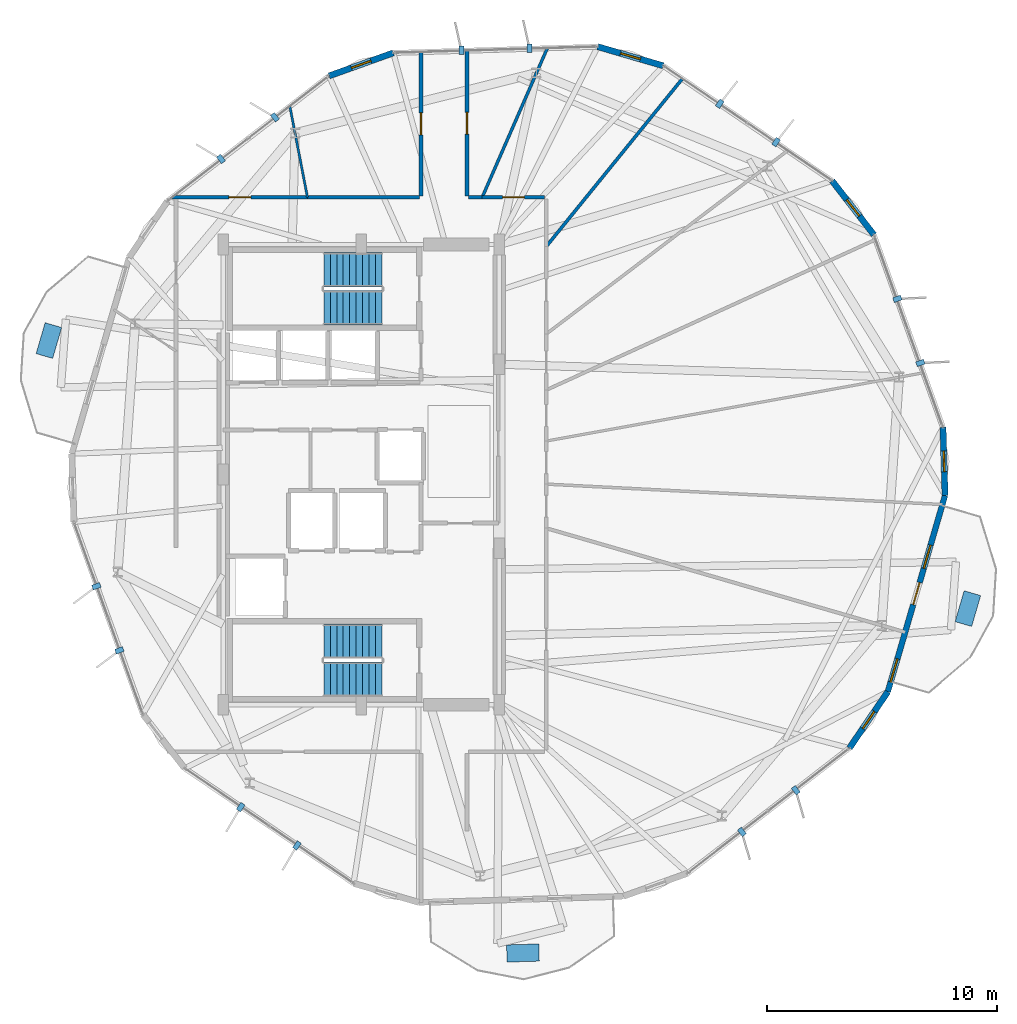
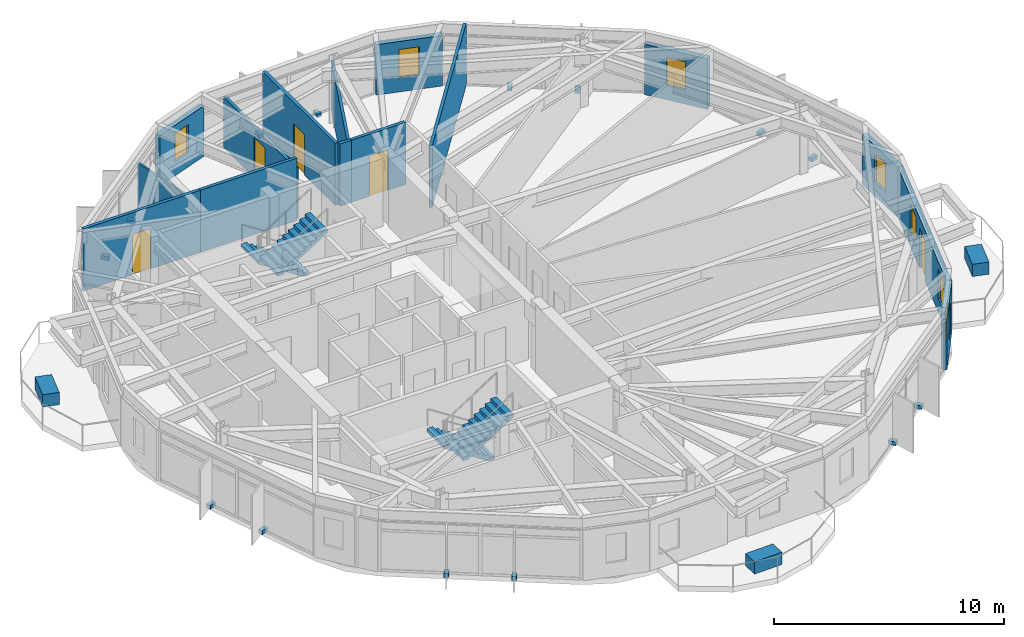
# One storey, part 20 of 23: 17 discrete accessories, 15 walls, 7 windows, 5 doors, 4 stair flights, 12 openings, 2 elements without a shape of their own.
"""IFC4 building model written with IfcOpenShell, lengths in metres."""

from ifc_helpers import new_model, si_unit, direction, frame, frame_2d, origin, origin_2d, place, context, subcontext, project, spatial, polyline, rectangle, outline, extrude, material, layer, layer_set, type_object, element, fill, aggregate, save


model = new_model("IFC4")

# Units and contexts
model_context = context("Model", 3, precision=1e-05, world=origin(), true_north=direction((0.0, 1.0)))
body_context = subcontext(model_context, "Body", "Model", "MODEL_VIEW")
ifc_project = project(units=[si_unit("LENGTHUNIT", "METRE"), si_unit("AREAUNIT", "SQUARE_METRE"), si_unit("VOLUMEUNIT", "CUBIC_METRE"), si_unit("PLANEANGLEUNIT", "RADIAN"), si_unit("MASSUNIT", "GRAM", prefix="KILO")], contexts=[model_context])

# Site, building, storey
site_placement = place(None, origin())
site = spatial("IfcSite", under=ifc_project, at=site_placement, CompositionType="ELEMENT")
building_placement = place(site_placement, origin())
building = spatial("IfcBuilding", under=site, at=building_placement, Name="Soratama Intermodal Tower", CompositionType="ELEMENT")
storey_placement = place(building_placement, frame((0.0, 0.0, 171.39990234375)))
storey = spatial("IfcBuildingStorey", under=building, at=storey_placement, Name="L42", CompositionType="ELEMENT", Elevation=171.39990234375)

# Wall, openings, door, windows
ifc_material_1 = material(Name="Concrete f'c 42 MPa", Category="concrete")
ifc_layer_1 = layer(ifc_material_1, 0.25)
ifc_layer_set_1 = layer_set([ifc_layer_1], Name="Concrete f'c 42 MPa")
wall_type_1 = type_object("IfcWallType", Name="EW-BAL-250", PredefinedType="SOLIDWALL", material=ifc_layer_set_1)
wall_1_placement = place(storey_placement, frame((61.4921875, 15.561279296875, 0.0), z_axis=(0.0, 0.0, 1.0), x_axis=(0.28, 0.96, 0.0)))
wall_1 = element("IfcWall", 1, at=wall_1_placement, inside=storey, type_object=wall_type_1, Name="L42 Terrace Wall F09", PredefinedType="SOLIDWALL", context=body_context, shape_type="SweptSolid", body=[
    extrude(rectangle(XDim=8.88671875, YDim=0.25, at=frame_2d((4.443359375, 0.0))), origin(), (0.0, 0.0, 1.0), 2.67919921875),
])
opening_1_placement = place(wall_1_placement, frame((3.943359375, 0.0, 0.0)))
opening_1 = element("IfcOpeningElement", 2, at=opening_1_placement, cuts=wall_1, Name="Opening ED-2", PredefinedType="OPENING", context=body_context, shape_type="SweptSolid", body=[
    extrude(rectangle(XDim=1.0, YDim=2.14990234375, at=frame_2d((0.5, 1.074951171875))), frame((0.0, 0.135009765625, 0.0), z_axis=(0.0, -1.0, 0.0), x_axis=(1.0, 0.0, 0.0)), (0.0, 0.0, 1.0), 0.27001953125),
])
opening_2_placement = place(wall_1_placement, frame((0.43994140625, 0.0, 0.719970703125)))
opening_2 = element("IfcOpeningElement", 3, at=opening_2_placement, cuts=wall_1, Name="Opening WN-5", PredefinedType="OPENING", context=body_context, shape_type="SweptSolid", body=[
    extrude(rectangle(XDim=1.050048828125, YDim=1.550048828125, at=frame_2d((0.52490234375, 0.77490234375))), frame((0.0, 0.135009765625, 0.0), z_axis=(0.0, -1.0, 0.0), x_axis=(1.0, 0.0, 0.0)), (0.0, 0.0, 1.0), 0.27001953125),
])
opening_3_placement = place(wall_1_placement, frame((5.583251953125, 0.0, 0.719970703125)))
opening_3 = element("IfcOpeningElement", 4, at=opening_3_placement, cuts=wall_1, Name="Opening WN-5", PredefinedType="OPENING", context=body_context, shape_type="SweptSolid", body=[
    extrude(rectangle(XDim=1.050048828125, YDim=1.550048828125, at=frame_2d((0.52490234375, 0.77490234375))), frame((0.0, 0.135009765625, 0.0), z_axis=(0.0, -1.0, 0.0), x_axis=(1.0, 0.0, 0.0)), (0.0, 0.0, 1.0), 0.27001953125),
])
ifc_material_2 = material(Name="Double-glazed aluminium door", Category="aluminium")
door_type_1 = type_object("IfcDoorType", Name="DR-BAL-1000", OperationType="NOTDEFINED", PredefinedType="DOOR", material=ifc_material_2)
door_1_placement = place(opening_1_placement, origin())
door_1 = element("IfcDoor", 5, at=door_1_placement, inside=storey, type_object=door_type_1, Name="L42 Balcony Door F09", OperationType="SINGLE_SWING_LEFT", OverallHeight=2.14990234375, OverallWidth=1.0, PredefinedType="DOOR", context=body_context, shape_type="SweptSolid", body=[
    extrude(rectangle(XDim=1.0, YDim=2.14990234375, at=frame_2d((0.5, 1.074951171875))), frame((0.0, 0.02490234375, 0.0), z_axis=(0.0, -1.0, 0.0), x_axis=(1.0, 0.0, 0.0)), (0.0, 0.0, 1.0), 0.050048828125),
])
fill(opening_1, door_1)
ifc_material_3 = material(Name="Double-glazed aluminium window", Category="aluminium")
window_type_1 = type_object("IfcWindowType", Name="WN-FAC-1050", PartitioningType="SINGLE_PANEL", PredefinedType="WINDOW", material=ifc_material_3)
window_1_placement = place(opening_2_placement, origin())
window_1 = element("IfcWindow", 6, at=window_1_placement, inside=storey, type_object=window_type_1, Name="L42 Window A F09", OverallHeight=1.550048828125, OverallWidth=1.050048828125, PartitioningType="SINGLE_PANEL", PredefinedType="WINDOW", context=body_context, shape_type="SweptSolid", body=[
    extrude(rectangle(XDim=1.050048828125, YDim=1.550048828125, at=frame_2d((0.52490234375, 0.77490234375))), frame((0.0, 0.030029296875, 0.0), z_axis=(0.0, -1.0, 0.0), x_axis=(1.0, 0.0, 0.0)), (0.0, 0.0, 1.0), 0.06005859375),
])
fill(opening_2, window_1)
window_2_placement = place(opening_3_placement, origin())
window_2 = element("IfcWindow", 7, at=window_2_placement, inside=storey, type_object=window_type_1, Name="L42 Window B F09", OverallHeight=1.550048828125, OverallWidth=1.050048828125, PartitioningType="SINGLE_PANEL", PredefinedType="WINDOW", context=body_context, shape_type="SweptSolid", body=[
    extrude(rectangle(XDim=1.050048828125, YDim=1.550048828125, at=frame_2d((0.52490234375, 0.77490234375))), frame((0.0, 0.030029296875, 0.0), z_axis=(0.0, -1.0, 0.0), x_axis=(1.0, 0.0, 0.0)), (0.0, 0.0, 1.0), 0.06005859375),
])
fill(opening_3, window_2)

# Wall, opening, window
ifc_material_4 = material(Name="Concrete f'c 42 MPa", Category="concrete")
ifc_layer_2 = layer(ifc_material_4, 0.27001953125)
ifc_layer_set_2 = layer_set([ifc_layer_2], Name="Concrete f'c 42 MPa")
wall_type_2 = type_object("IfcWallType", Name="EW-CRN-270", PredefinedType="SOLIDWALL", material=ifc_layer_set_2)
wall_2_placement = place(storey_placement, frame((51.728271484375, 42.77099609375, 0.0), z_axis=(0.0, 0.0, 1.0), x_axis=(-0.96000645191, 0.279977878217, 0.0)))
wall_2 = element("IfcWall", 8, at=wall_2_placement, inside=storey, type_object=wall_type_2, Name="L42 Corner Closure Wall 01", PredefinedType="SOLIDWALL", context=body_context, shape_type="SweptSolid", body=[
    extrude(rectangle(XDim=2.966552734375, YDim=0.27001953125, at=frame_2d((1.4833984375, 0.0))), origin(), (0.0, 0.0, 1.0), 2.67919921875),
])
opening_4_placement = place(wall_2_placement, frame((1.033203125, 0.0, 0.75)))
opening_4 = element("IfcOpeningElement", 9, at=opening_4_placement, cuts=wall_2, Name="Opening WN-6", PredefinedType="OPENING", context=body_context, shape_type="SweptSolid", body=[
    extrude(rectangle(XDim=0.89990234375, YDim=1.5, at=frame_2d((0.449951171875, 0.75))), frame((0.0, 0.14501953125, 0.0), z_axis=(0.0, -1.0, 0.0), x_axis=(1.0, 0.0, 0.0)), (0.0, 0.0, 1.0), 0.2900390625),
])
ifc_material_5 = material(Name="Double-glazed aluminium window", Category="aluminium")
window_type_2 = type_object("IfcWindowType", Name="WN-FAC-900", PartitioningType="SINGLE_PANEL", PredefinedType="WINDOW", material=ifc_material_5)
window_3_placement = place(opening_4_placement, origin())
window_3 = element("IfcWindow", 10, at=window_3_placement, inside=storey, type_object=window_type_2, Name="L42 Corner Window 01", OverallHeight=1.5, OverallWidth=0.89990234375, PartitioningType="SINGLE_PANEL", PredefinedType="WINDOW", context=body_context, shape_type="SweptSolid", body=[
    extrude(rectangle(XDim=0.89990234375, YDim=1.5, at=frame_2d((0.449951171875, 0.75))), frame((0.0, 0.030029296875, 0.0), z_axis=(0.0, -1.0, 0.0), x_axis=(1.0, 0.0, 0.0)), (0.0, 0.0, 1.0), 0.06005859375),
])
fill(opening_4, window_3)

wall_3_placement = place(storey_placement, frame((39.997802734375, 43.331787109375, 0.0), z_axis=(0.0, 0.0, 1.0), x_axis=(-0.94123626771, -0.337748853955, 0.0)))
wall_3 = element("IfcWall", 11, at=wall_3_placement, inside=storey, type_object=wall_type_2, Name="L42 Corner Closure Wall 02", PredefinedType="SOLIDWALL", context=body_context, shape_type="SweptSolid", body=[
    extrude(rectangle(XDim=2.966552734375, YDim=0.27001953125, at=frame_2d((1.4833984375, 0.0))), origin(), (0.0, 0.0, 1.0), 2.67919921875),
])
opening_5_placement = place(wall_3_placement, frame((1.033203125, 0.0, 0.75)))
opening_5 = element("IfcOpeningElement", 12, at=opening_5_placement, cuts=wall_3, Name="Opening WN-6", PredefinedType="OPENING", context=body_context, shape_type="SweptSolid", body=[
    extrude(rectangle(XDim=0.89990234375, YDim=1.5, at=frame_2d((0.449951171875, 0.75))), frame((0.0, 0.14501953125, 0.0), z_axis=(0.0, -1.0, 0.0), x_axis=(1.0, 0.0, 0.0)), (0.0, 0.0, 1.0), 0.2900390625),
])
window_4_placement = place(opening_5_placement, origin())
window_4 = element("IfcWindow", 13, at=window_4_placement, inside=storey, type_object=window_type_2, Name="L42 Corner Window 02", OverallHeight=1.5, OverallWidth=0.89990234375, PartitioningType="SINGLE_PANEL", PredefinedType="WINDOW", context=body_context, shape_type="SweptSolid", body=[
    extrude(rectangle(XDim=0.89990234375, YDim=1.5, at=frame_2d((0.449951171875, 0.75))), frame((0.0, 0.030029296875, 0.0), z_axis=(0.0, -1.0, 0.0), x_axis=(1.0, 0.0, 0.0)), (0.0, 0.0, 1.0), 0.06005859375),
])
fill(opening_5, window_4)

wall_4_placement = place(storey_placement, frame((59.822021484375, 13.109619140625, 0.0), z_axis=(0.0, 0.0, 1.0), x_axis=(0.563009904687, 0.826450148058, 0.0)))
wall_4 = element("IfcWall", 14, at=wall_4_placement, inside=storey, type_object=wall_type_2, Name="L42 Corner Closure Wall 08", PredefinedType="SOLIDWALL", context=body_context, shape_type="SweptSolid", body=[
    extrude(rectangle(XDim=2.966552734375, YDim=0.27001953125, at=frame_2d((1.4833984375, 0.0))), origin(), (0.0, 0.0, 1.0), 2.67919921875),
])
opening_6_placement = place(wall_4_placement, frame((1.033203125, 0.0, 0.75)))
opening_6 = element("IfcOpeningElement", 15, at=opening_6_placement, cuts=wall_4, Name="Opening WN-6", PredefinedType="OPENING", context=body_context, shape_type="SweptSolid", body=[
    extrude(rectangle(XDim=0.89990234375, YDim=1.5, at=frame_2d((0.449951171875, 0.75))), frame((0.0, 0.14501953125, 0.0), z_axis=(0.0, -1.0, 0.0), x_axis=(1.0, 0.0, 0.0)), (0.0, 0.0, 1.0), 0.2900390625),
])
window_5_placement = place(opening_6_placement, origin())
window_5 = element("IfcWindow", 16, at=window_5_placement, inside=storey, type_object=window_type_2, Name="L42 Corner Window 08", OverallHeight=1.5, OverallWidth=0.89990234375, PartitioningType="SINGLE_PANEL", PredefinedType="WINDOW", context=body_context, shape_type="SweptSolid", body=[
    extrude(rectangle(XDim=0.89990234375, YDim=1.5, at=frame_2d((0.449951171875, 0.75))), frame((0.0, 0.030029296875, 0.0), z_axis=(0.0, -1.0, 0.0), x_axis=(1.0, 0.0, 0.0)), (0.0, 0.0, 1.0), 0.06005859375),
])
fill(opening_6, window_5)

wall_5_placement = place(storey_placement, frame((63.98046875, 24.092529296875, 0.0), z_axis=(0.0, 0.0, 1.0), x_axis=(-0.030366361796, 0.999538835699, 0.0)))
wall_5 = element("IfcWall", 17, at=wall_5_placement, inside=storey, type_object=wall_type_2, Name="L42 Corner Closure Wall 09", PredefinedType="SOLIDWALL", context=body_context, shape_type="SweptSolid", body=[
    extrude(rectangle(XDim=2.966796875, YDim=0.27001953125, at=frame_2d((1.4833984375, 0.0))), origin(), (0.0, 0.0, 1.0), 2.67919921875),
])
opening_7_placement = place(wall_5_placement, frame((1.033203125, 0.0, 0.75)))
opening_7 = element("IfcOpeningElement", 18, at=opening_7_placement, cuts=wall_5, Name="Opening WN-6", PredefinedType="OPENING", context=body_context, shape_type="SweptSolid", body=[
    extrude(rectangle(XDim=0.89990234375, YDim=1.5, at=frame_2d((0.449951171875, 0.75))), frame((0.0, 0.14501953125, 0.0), z_axis=(0.0, -1.0, 0.0), x_axis=(1.0, 0.0, 0.0)), (0.0, 0.0, 1.0), 0.2900390625),
])
window_6_placement = place(opening_7_placement, origin())
window_6 = element("IfcWindow", 19, at=window_6_placement, inside=storey, type_object=window_type_2, Name="L42 Corner Window 09", OverallHeight=1.5, OverallWidth=0.89990234375, PartitioningType="SINGLE_PANEL", PredefinedType="WINDOW", context=body_context, shape_type="SweptSolid", body=[
    extrude(rectangle(XDim=0.89990234375, YDim=1.5, at=frame_2d((0.449951171875, 0.75))), frame((0.0, 0.030029296875, 0.0), z_axis=(0.0, -1.0, 0.0), x_axis=(1.0, 0.0, 0.0)), (0.0, 0.0, 1.0), 0.06005859375),
])
fill(opening_7, window_6)

wall_6_placement = place(storey_placement, frame((60.888916015625, 35.42236328125, 0.0), z_axis=(0.0, 0.0, 1.0), x_axis=(-0.612110117852, 0.790772535956, 0.0)))
wall_6 = element("IfcWall", 20, at=wall_6_placement, inside=storey, type_object=wall_type_2, Name="L42 Corner Closure Wall 10", PredefinedType="SOLIDWALL", context=body_context, shape_type="SweptSolid", body=[
    extrude(rectangle(XDim=2.966552734375, YDim=0.27001953125, at=frame_2d((1.4833984375, 0.0))), origin(), (0.0, 0.0, 1.0), 2.67919921875),
])
opening_8_placement = place(wall_6_placement, frame((1.033203125, 0.0, 0.75)))
opening_8 = element("IfcOpeningElement", 21, at=opening_8_placement, cuts=wall_6, Name="Opening WN-6", PredefinedType="OPENING", context=body_context, shape_type="SweptSolid", body=[
    extrude(rectangle(XDim=0.89990234375, YDim=1.5, at=frame_2d((0.449951171875, 0.75))), frame((0.0, 0.14501953125, 0.0), z_axis=(0.0, -1.0, 0.0), x_axis=(1.0, 0.0, 0.0)), (0.0, 0.0, 1.0), 0.2900390625),
])
window_7_placement = place(opening_8_placement, origin())
window_7 = element("IfcWindow", 22, at=window_7_placement, inside=storey, type_object=window_type_2, Name="L42 Corner Window 10", OverallHeight=1.5, OverallWidth=0.89990234375, PartitioningType="SINGLE_PANEL", PredefinedType="WINDOW", context=body_context, shape_type="SweptSolid", body=[
    extrude(rectangle(XDim=0.89990234375, YDim=1.5, at=frame_2d((0.449951171875, 0.75))), frame((0.0, 0.030029296875, 0.0), z_axis=(0.0, -1.0, 0.0), x_axis=(1.0, 0.0, 0.0)), (0.0, 0.0, 1.0), 0.06005859375),
])
fill(opening_8, window_7)

# Wall, opening, door
ifc_material_6 = material(Name="Fire-rated gypsum stud partition", Category="concrete")
ifc_layer_3 = layer(ifc_material_6, 0.159912109375)
ifc_layer_set_3 = layer_set([ifc_layer_3], Name="Fire-rated gypsum stud partition")
wall_type_3 = type_object("IfcWallType", Name="IW-PART-R160", PredefinedType="PARTITIONING", material=ifc_layer_set_3)
wall_7_placement = place(storey_placement, frame((43.199951171875, 43.428955078125, 0.0), z_axis=(0.0, 0.0, 1.0), x_axis=(0.0, -1.0, 0.0)))
wall_7 = element("IfcWall", 23, at=wall_7_placement, inside=storey, type_object=wall_type_3, Name="L42 Partition W-L42-TP013", PredefinedType="PARTITIONING", context=body_context, shape_type="SweptSolid", body=[
    extrude(rectangle(XDim=6.308837890625, YDim=0.159912109375, at=frame_2d((3.154296875, 0.0))), origin(), (0.0, 0.0, 1.0), 3.300048828125),
])
opening_9_placement = place(wall_7_placement, frame((2.679931640625, 0.0, 0.0)))
opening_9 = element("IfcOpeningElement", 24, at=opening_9_placement, cuts=wall_7, Name="Opening ID-3", PredefinedType="OPENING", context=body_context, shape_type="SweptSolid", body=[
    extrude(rectangle(XDim=0.949951171875, YDim=2.14990234375, at=frame_2d((0.47509765625, 1.074951171875))), frame((0.0, 0.08984375, 0.0), z_axis=(0.0, -1.0, 0.0), x_axis=(1.0, 0.0, 0.0)), (0.0, 0.0, 1.0), 0.179931640625),
])
ifc_material_7 = material(Name="Solid hardwood acoustic door", Category="wood")
door_type_2 = type_object("IfcDoorType", Name="DR-ROOM-950", OperationType="NOTDEFINED", PredefinedType="DOOR", material=ifc_material_7)
door_2_placement = place(opening_9_placement, origin())
door_2 = element("IfcDoor", 25, at=door_2_placement, inside=storey, type_object=door_type_2, Name="L42 Door D-L42-TP005", OperationType="SINGLE_SWING_RIGHT", OverallHeight=2.14990234375, OverallWidth=0.949951171875, PredefinedType="DOOR", context=body_context, shape_type="SweptSolid", body=[
    extrude(rectangle(XDim=0.949951171875, YDim=2.14990234375, at=frame_2d((0.47509765625, 1.074951171875))), frame((0.0, 0.02490234375, 0.0), z_axis=(0.0, -1.0, 0.0), x_axis=(1.0, 0.0, 0.0)), (0.0, 0.0, 1.0), 0.050048828125),
])
fill(opening_9, door_2)

wall_8_placement = place(storey_placement, frame((41.199951171875, 37.1201171875, 0.0), z_axis=(0.0, 0.0, 1.0), x_axis=(0.0, 1.0, 0.0)))
wall_8 = element("IfcWall", 26, at=wall_8_placement, inside=storey, type_object=wall_type_3, Name="L42 Partition W-L42-TP014", PredefinedType="PARTITIONING", context=body_context, shape_type="SweptSolid", body=[
    extrude(rectangle(XDim=6.247802734375, YDim=0.159912109375, at=frame_2d((3.1240234375, 0.0))), origin(), (0.0, 0.0, 1.0), 2.677978515625),
])
opening_10_placement = place(wall_8_placement, frame((2.64892578125, 0.0, 0.0)))
opening_10 = element("IfcOpeningElement", 27, at=opening_10_placement, cuts=wall_8, Name="Opening ID-3", PredefinedType="OPENING", context=body_context, shape_type="SweptSolid", body=[
    extrude(rectangle(XDim=0.949951171875, YDim=2.14990234375, at=frame_2d((0.47509765625, 1.074951171875))), frame((0.0, 0.08984375, 0.0), z_axis=(0.0, -1.0, 0.0), x_axis=(1.0, 0.0, 0.0)), (0.0, 0.0, 1.0), 0.179931640625),
])
door_3_placement = place(opening_10_placement, origin())
door_3 = element("IfcDoor", 28, at=door_3_placement, inside=storey, type_object=door_type_2, Name="L42 Door D-L42-TP006", OperationType="SINGLE_SWING_LEFT", OverallHeight=2.14990234375, OverallWidth=0.949951171875, PredefinedType="DOOR", context=body_context, shape_type="SweptSolid", body=[
    extrude(rectangle(XDim=0.949951171875, YDim=2.14990234375, at=frame_2d((0.47509765625, 1.074951171875))), frame((0.0, 0.02490234375, 0.0), z_axis=(0.0, -1.0, 0.0), x_axis=(1.0, 0.0, 0.0)), (0.0, 0.0, 1.0), 0.050048828125),
])
fill(opening_10, door_3)

wall_9_placement = place(storey_placement, frame((30.384033203125, 37.050048828125, 0.0), z_axis=(0.0, 0.0, 1.0), x_axis=(1.0, 0.0, 0.0)))
wall_9 = element("IfcWall", 29, at=wall_9_placement, inside=storey, type_object=wall_type_3, Name="L42 Partition W-L42-TP015", PredefinedType="PARTITIONING", context=body_context, shape_type="SweptSolid", body=[
    extrude(rectangle(XDim=5.883056640625, YDim=0.159912109375, at=frame_2d((2.94140625, 0.0))), origin(), (0.0, 0.0, 1.0), 3.300048828125),
])
opening_11_placement = place(wall_9_placement, frame((2.467041015625, 0.0, 0.0)))
opening_11 = element("IfcOpeningElement", 30, at=opening_11_placement, cuts=wall_9, Name="Opening ID-3", PredefinedType="OPENING", context=body_context, shape_type="SweptSolid", body=[
    extrude(rectangle(XDim=0.949951171875, YDim=2.14990234375, at=frame_2d((0.47509765625, 1.074951171875))), frame((0.0, 0.08984375, 0.0), z_axis=(0.0, -1.0, 0.0), x_axis=(1.0, 0.0, 0.0)), (0.0, 0.0, 1.0), 0.179931640625),
])
door_4_placement = place(opening_11_placement, origin())
door_4 = element("IfcDoor", 31, at=door_4_placement, inside=storey, type_object=door_type_2, Name="L42 Door D-L42-TP007", OperationType="SINGLE_SWING_RIGHT", OverallHeight=2.14990234375, OverallWidth=0.949951171875, PredefinedType="DOOR", context=body_context, shape_type="SweptSolid", body=[
    extrude(rectangle(XDim=0.949951171875, YDim=2.14990234375, at=frame_2d((0.47509765625, 1.074951171875))), frame((0.0, 0.02490234375, 0.0), z_axis=(0.0, -1.0, 0.0), x_axis=(1.0, 0.0, 0.0)), (0.0, 0.0, 1.0), 0.050048828125),
])
fill(opening_11, door_4)

# Wall
wall_10_placement = place(storey_placement, frame((36.26708984375, 37.050048828125, 0.0), z_axis=(0.0, 0.0, 1.0), x_axis=(1.0, 0.0, 0.0)))
element("IfcWall", 32, at=wall_10_placement, inside=storey, type_object=wall_type_3, Name="L42 Partition W-L42-TP016", PredefinedType="PARTITIONING", context=body_context, shape_type="SweptSolid", body=[
    extrude(rectangle(XDim=4.86279296875, YDim=0.159912109375, at=frame_2d((2.431396484375, 0.0))), origin(), (0.0, 0.0, 1.0), 3.300048828125),
])

# Wall, opening, door
wall_11_placement = place(storey_placement, frame((43.860107421875, 37.050048828125, 0.0), z_axis=(0.0, 0.0, 1.0), x_axis=(1.0, 0.0, 0.0)))
wall_11 = element("IfcWall", 33, at=wall_11_placement, inside=storey, type_object=wall_type_3, Name="L42 Partition W-L42-TP024", PredefinedType="PARTITIONING", context=body_context, shape_type="SweptSolid", body=[
    extrude(rectangle(XDim=2.719970703125, YDim=0.159912109375, at=frame_2d((1.35986328125, 0.0))), origin(), (0.0, 0.0, 1.0), 3.300048828125),
])
opening_12_placement = place(wall_11_placement, frame((0.885009765625, 0.0, 0.0)))
opening_12 = element("IfcOpeningElement", 34, at=opening_12_placement, cuts=wall_11, Name="Opening ID-3", PredefinedType="OPENING", context=body_context, shape_type="SweptSolid", body=[
    extrude(rectangle(XDim=0.949951171875, YDim=2.14990234375, at=frame_2d((0.47509765625, 1.074951171875))), frame((0.0, 0.08984375, 0.0), z_axis=(0.0, -1.0, 0.0), x_axis=(1.0, 0.0, 0.0)), (0.0, 0.0, 1.0), 0.179931640625),
])
door_5_placement = place(opening_12_placement, origin())
door_5 = element("IfcDoor", 35, at=door_5_placement, inside=storey, type_object=door_type_2, Name="L42 Door D-L42-TP012", OperationType="SINGLE_SWING_LEFT", OverallHeight=2.14990234375, OverallWidth=0.949951171875, PredefinedType="DOOR", context=body_context, shape_type="SweptSolid", body=[
    extrude(rectangle(XDim=0.949951171875, YDim=2.14990234375, at=frame_2d((0.47509765625, 1.074951171875))), frame((0.0, 0.02490234375, 0.0), z_axis=(0.0, -1.0, 0.0), x_axis=(1.0, 0.0, 0.0)), (0.0, 0.0, 1.0), 0.050048828125),
])
fill(opening_12, door_5)

# Walls
wall_12_placement = place(storey_placement, frame((43.27001953125, 37.050048828125, 0.0), z_axis=(0.0, 0.0, 1.0), x_axis=(1.0, 0.0, 0.0)))
element("IfcWall", 36, at=wall_12_placement, inside=storey, type_object=wall_type_3, Name="L42 Partition W-L42-TP036", PredefinedType="PARTITIONING", context=body_context, shape_type="SweptSolid", body=[
    extrude(rectangle(XDim=0.590087890625, YDim=0.159912109375, at=frame_2d((0.294921875, 0.0))), origin(), (0.0, 0.0, 1.0), 3.300048828125),
])
ifc_material_8 = material(Name="Fire-rated gypsum stud partition", Category="concrete")
ifc_layer_4 = layer(ifc_material_8, 0.10009765625)
ifc_layer_set_4 = layer_set([ifc_layer_4], Name="Fire-rated gypsum stud partition")
wall_type_4 = type_object("IfcWallType", Name="IW-PART-S100", PredefinedType="PARTITIONING", material=ifc_layer_set_4)
wall_13_placement = place(storey_placement, frame((36.26708984375, 37.050048828125, 0.0), z_axis=(0.0, 0.0, 1.0), x_axis=(-0.190176227139, 0.981749969509, 0.0)))
element("IfcWall", 37, at=wall_13_placement, inside=storey, type_object=wall_type_4, Name="L42 Partition W-L42-TP017", PredefinedType="PARTITIONING", context=body_context, shape_type="SweptSolid", body=[
    extrude(rectangle(XDim=4.03369140625, YDim=0.10009765625, at=frame_2d((2.016845703125, 0.0))), origin(), (0.0, 0.0, 1.0), 2.59521484375),
])
ifc_material_9 = material(Name="Fire-rated gypsum stud partition", Category="concrete")
ifc_layer_5 = layer(ifc_material_9, 0.1298828125)
ifc_layer_set_5 = layer_set([ifc_layer_5], Name="Fire-rated gypsum stud partition")
wall_type_5 = type_object("IfcWallType", Name="IW-PART-S130", PredefinedType="PARTITIONING", material=ifc_layer_set_5)
wall_14_placement = place(storey_placement, frame((43.860107421875, 37.050048828125, 0.0), z_axis=(0.0, 0.0, 1.0), x_axis=(0.400185264295, 0.916434260731, 0.0)))
element("IfcWall", 38, at=wall_14_placement, inside=storey, type_object=wall_type_5, Name="L42 Partition W-L42-TP009", PredefinedType="PARTITIONING", context=body_context, shape_type="SweptSolid", body=[
    extrude(rectangle(XDim=7.076171875, YDim=0.1298828125, at=frame_2d((3.5380859375, 0.0))), origin(), (0.0, 0.0, 1.0), 2.59521484375),
])
ifc_material_10 = material(Name="Fire-rated gypsum stud partition", Category="concrete")
ifc_layer_6 = layer(ifc_material_10, 0.139892578125)
ifc_layer_set_6 = layer_set([ifc_layer_6], Name="Fire-rated gypsum stud partition")
wall_type_6 = type_object("IfcWallType", Name="IW-PART-S140", PredefinedType="PARTITIONING", material=ifc_layer_set_6)
wall_15_placement = place(storey_placement, frame((46.64990234375, 34.9208984375, 0.0), z_axis=(0.0, 0.0, 1.0), x_axis=(0.63011430349, 0.776502391842, 0.0)))
element("IfcWall", 39, at=wall_15_placement, inside=storey, type_object=wall_type_6, Name="L42 Partition W-L42-TP008", PredefinedType="PARTITIONING", context=body_context, shape_type="SweptSolid", body=[
    extrude(rectangle(XDim=9.37939453125, YDim=0.139892578125, at=frame_2d((4.689697265625, 0.0))), origin(), (0.0, 0.0, 1.0), 3.300048828125),
])

# Stair, stair flights
ifc_material_11 = material(Name="Concrete f'c 42 MPa", Category="concrete")
stair_type = type_object("IfcStairType", Name="ST-CORE-DOGLEG", PredefinedType="HALF_TURN_STAIR", material=ifc_material_11)
stair_1_placement = place(storey_placement, origin())
stair_1 = element("IfcStair", 40, at=stair_1_placement, inside=storey, type_object=stair_type, Name="L42 ST-1", PredefinedType="HALF_TURN_STAIR")
ifc_material_12 = material(Name="Precast concrete f'c 40 MPa", Category="concrete")
ifc_layer_7 = layer(ifc_material_12, 0.199951171875)
ifc_layer_set_7 = layer_set([ifc_layer_7], Name="Precast concrete f'c 40 MPa")
stair_flight_type = type_object("IfcStairFlightType", Name="SF-FLIGHT-RC", PredefinedType="STRAIGHT", material=ifc_layer_set_7)
stair_flight_1_placement = place(storey_placement, frame((39.5, 17.75, 0.0), z_axis=(0.0, 0.0, 1.0), x_axis=(-1.0, 0.0, 0.0)))
stair_flight_1 = element("IfcStairFlight", 41, at=stair_flight_1_placement, type_object=stair_flight_type, Name="ST-1 flight 1", NumberOfRisers=10, NumberOfTreads=9, PredefinedType="STRAIGHT", RiserHeight=0.18, TreadLength=0.28, context=body_context, shape_type="SweptSolid", body=[
    extrude(outline(polyline([(0.0, 0.0), (0.0, 0.179931640625), (0.280029296875, 0.179931640625), (0.280029296875, 0.360107421875), (0.56005859375, 0.360107421875), (0.56005859375, 0.5400390625), (0.840087890625, 0.5400390625), (0.840087890625, 0.719970703125), (1.1201171875, 0.719970703125), (1.1201171875, 0.89990234375), (1.39990234375, 0.89990234375), (1.39990234375, 1.080078125), (1.679931640625, 1.080078125), (1.679931640625, 1.260009765625), (1.9599609375, 1.260009765625), (1.9599609375, 1.43994140625), (2.239990234375, 1.43994140625), (2.239990234375, 1.6201171875), (2.52001953125, 1.6201171875), (2.52001953125, 1.800048828125), (2.52001953125, 1.44189453125), (0.277099609375, 0.0), (0.0, 0.0)])), frame((0.0, 0.75, 0.0), z_axis=(0.0, -1.0, 0.0), x_axis=(1.0, 0.0, 0.0)), (0.0, 0.0, 1.0), 1.5),
])
stair_flight_2_placement = place(storey_placement, frame((36.97998046875, 16.10009765625, 1.800048828125), z_axis=(0.0, 0.0, 1.0), x_axis=(1.0, 0.0, 0.0)))
stair_flight_2 = element("IfcStairFlight", 42, at=stair_flight_2_placement, type_object=stair_flight_type, Name="ST-1 flight 2", NumberOfRisers=10, NumberOfTreads=9, PredefinedType="STRAIGHT", RiserHeight=0.18, TreadLength=0.28, context=body_context, shape_type="SweptSolid", body=[
    extrude(outline(polyline([(0.0, 0.0), (0.0, 0.179931640625), (0.280029296875, 0.179931640625), (0.280029296875, 0.360107421875), (0.56005859375, 0.360107421875), (0.56005859375, 0.5400390625), (0.840087890625, 0.5400390625), (0.840087890625, 0.719970703125), (1.1201171875, 0.719970703125), (1.1201171875, 0.89990234375), (1.39990234375, 0.89990234375), (1.39990234375, 1.080078125), (1.679931640625, 1.080078125), (1.679931640625, 1.260009765625), (1.9599609375, 1.260009765625), (1.9599609375, 1.43994140625), (2.239990234375, 1.43994140625), (2.239990234375, 1.6201171875), (2.52001953125, 1.6201171875), (2.52001953125, 1.800048828125), (2.52001953125, 1.44189453125), (0.277099609375, 0.0), (0.0, 0.0)])), frame((0.0, 0.75, 0.0), z_axis=(0.0, -1.0, 0.0), x_axis=(1.0, 0.0, 0.0)), (0.0, 0.0, 1.0), 1.5),
])
aggregate(stair_1, [stair_flight_1, stair_flight_2])

stair_2_placement = place(storey_placement, origin())
stair_2 = element("IfcStair", 43, at=stair_2_placement, inside=storey, type_object=stair_type, Name="L42 ST-2", PredefinedType="HALF_TURN_STAIR")
stair_flight_3_placement = place(storey_placement, frame((39.5, 33.89990234375, 0.0), z_axis=(0.0, 0.0, 1.0), x_axis=(-1.0, 0.0, 0.0)))
stair_flight_3 = element("IfcStairFlight", 44, at=stair_flight_3_placement, type_object=stair_flight_type, Name="ST-2 flight 1", NumberOfRisers=10, NumberOfTreads=9, PredefinedType="STRAIGHT", RiserHeight=0.18, TreadLength=0.28, context=body_context, shape_type="SweptSolid", body=[
    extrude(outline(polyline([(0.0, 0.0), (0.0, 0.179931640625), (0.280029296875, 0.179931640625), (0.280029296875, 0.360107421875), (0.56005859375, 0.360107421875), (0.56005859375, 0.5400390625), (0.840087890625, 0.5400390625), (0.840087890625, 0.719970703125), (1.1201171875, 0.719970703125), (1.1201171875, 0.89990234375), (1.39990234375, 0.89990234375), (1.39990234375, 1.080078125), (1.679931640625, 1.080078125), (1.679931640625, 1.260009765625), (1.9599609375, 1.260009765625), (1.9599609375, 1.43994140625), (2.239990234375, 1.43994140625), (2.239990234375, 1.6201171875), (2.52001953125, 1.6201171875), (2.52001953125, 1.800048828125), (2.52001953125, 1.44189453125), (0.277099609375, 0.0), (0.0, 0.0)])), frame((0.0, 0.75, 0.0), z_axis=(0.0, -1.0, 0.0), x_axis=(1.0, 0.0, 0.0)), (0.0, 0.0, 1.0), 1.5),
])
stair_flight_4_placement = place(storey_placement, frame((36.97998046875, 32.25, 1.800048828125), z_axis=(0.0, 0.0, 1.0), x_axis=(1.0, 0.0, 0.0)))
stair_flight_4 = element("IfcStairFlight", 45, at=stair_flight_4_placement, type_object=stair_flight_type, Name="ST-2 flight 2", NumberOfRisers=10, NumberOfTreads=9, PredefinedType="STRAIGHT", RiserHeight=0.18, TreadLength=0.28, context=body_context, shape_type="SweptSolid", body=[
    extrude(outline(polyline([(0.0, 0.0), (0.0, 0.179931640625), (0.280029296875, 0.179931640625), (0.280029296875, 0.360107421875), (0.56005859375, 0.360107421875), (0.56005859375, 0.5400390625), (0.840087890625, 0.5400390625), (0.840087890625, 0.719970703125), (1.1201171875, 0.719970703125), (1.1201171875, 0.89990234375), (1.39990234375, 0.89990234375), (1.39990234375, 1.080078125), (1.679931640625, 1.080078125), (1.679931640625, 1.260009765625), (1.9599609375, 1.260009765625), (1.9599609375, 1.43994140625), (2.239990234375, 1.43994140625), (2.239990234375, 1.6201171875), (2.52001953125, 1.6201171875), (2.52001953125, 1.800048828125), (2.52001953125, 1.44189453125), (0.277099609375, 0.0), (0.0, 0.0)])), frame((0.0, 0.75, 0.0), z_axis=(0.0, -1.0, 0.0), x_axis=(1.0, 0.0, 0.0)), (0.0, 0.0, 1.0), 1.5),
])
aggregate(stair_2, [stair_flight_3, stair_flight_4])

# Discrete accessories
ifc_material_13 = material(Name="Structural steel ASTM A992 Grade 50", Category="steel")
discrete_accessory_type_1 = type_object("IfcDiscreteAccessoryType", Name="AC-FIN-BRACKET", PredefinedType="BRACKET", material=ifc_material_13)
for number, where, z_axis, x_axis, name in (
    (46, (56.635986328125, 39.452392578125, -0.080078125), (0.0, 0.0, 1.0), (0.562949186249, 0.826491508548, 0.0), "L42 Fin Bracket F01-1"),
    (47, (54.187744140625, 41.119873046875, -0.080078125), (0.0, 0.0, 1.0), (0.562949186249, 0.826491508548, 0.0), "L42 Fin Bracket F01-2"),
    (48, (45.918701171875, 43.53173828125, -0.080078125), (0.0, 0.0, 1.0), (-0.030364061224, 0.999538905589, 0.0), "L42 Fin Bracket F02-1"),
    (49, (42.9580078125, 43.441650390625, -0.080078125), (0.0, 0.0, 1.0), (-0.030364061224, 0.999538905589, 0.0), "L42 Fin Bracket F02-2"),
    (50, (34.8505859375, 40.532470703125, -0.080078125), (0.0, 0.0, 1.0), (-0.612079269346, 0.790796413773, 0.0), "L42 Fin Bracket F03-1"),
    (51, (32.50830078125, 38.719482421875, -0.080078125), (0.0, 0.0, 1.0), (-0.612079269346, 0.790796413773, 0.0), "L42 Fin Bracket F03-2"),
    (52, (27.09130859375, 20.147216796875, -0.080078125), (0.0, 0.0, 1.0), (-0.941234978514, -0.337752446654, 0.0), "L42 Fin Bracket F05-1"),
    (53, (28.091796875, 17.359130859375, -0.080078125), (0.0, 0.0, 1.0), (-0.941234978514, -0.337752446654, 0.0), "L42 Fin Bracket F05-2"),
    (54, (33.364013671875, 10.547607421875, -0.080078125), (0.0, 0.0, 1.0), (-0.562949186249, -0.826491508548, 0.0), "L42 Fin Bracket F06-1"),
    (55, (35.812255859375, 8.880126953125, -0.080078125), (0.0, 0.0, 1.0), (-0.562949186249, -0.826491508548, 0.0), "L42 Fin Bracket F06-2"),
    (56, (55.1494140625, 9.467529296875, -0.080078125), (0.0, 0.0, 1.0), (0.612079269346, -0.790796413773, 0.0), "L42 Fin Bracket F08-1"),
    (57, (57.49169921875, 11.280517578125, -0.080078125), (0.0, 0.0, 1.0), (0.612079269346, -0.790796413773, 0.0), "L42 Fin Bracket F08-2"),
    (58, (62.90869140625, 29.852783203125, -0.080078125), (0.0, 0.0, 1.0), (0.941234978514, 0.337752446654, 0.0), "L42 Fin Bracket F10-1"),
    (59, (61.908203125, 32.640869140625, -0.080078125), (0.0, 0.0, 1.0), (0.941234978514, 0.337752446654, 0.0), "L42 Fin Bracket F10-2"),
):
    element("IfcDiscreteAccessory", number, at=place(storey_placement, frame(where, z_axis=z_axis, x_axis=x_axis)), inside=storey, type_object=discrete_accessory_type_1, Name=name, PredefinedType="BRACKET", context=body_context, shape_type="SweptSolid", body=[
        extrude(rectangle(XDim=0.360107421875, YDim=0.219970703125, at=origin_2d()), origin(), (0.0, 0.0, 1.0), 0.199951171875),
    ])
ifc_material_14 = material(Name="Precast concrete f'c 40 MPa", Category="concrete")
discrete_accessory_type_2 = type_object("IfcDiscreteAccessoryType", Name="AC-PLANTER-TREE", PredefinedType="USERDEFINED", material=ifc_material_14)
for number, where, z_axis, x_axis, name in (
    (60, (64.972900390625, 19.174560546875, 0.000244140625), (0.0, 0.0, 1.0), (0.960001000387, -0.279996570078, 0.0), "L42 Tree Planter 1"),
    (61, (25.027099609375, 30.825439453125, 0.000244140625), (0.0, 0.0, 1.0), (-0.960001000387, 0.279996570078, 0.0), "L42 Tree Planter 2"),
    (62, (45.631591796875, 4.204345703125, 0.000244140625), (0.0, 0.0, 1.0), (0.030364061224, -0.999538905589, 0.0), "L42 Tree Planter 3"),
):
    element("IfcDiscreteAccessory", number, at=place(storey_placement, frame(where, z_axis=z_axis, x_axis=x_axis)), inside=storey, type_object=discrete_accessory_type_2, Name=name, ObjectType="PLANTER", PredefinedType="USERDEFINED", context=body_context, shape_type="SweptSolid", body=[
        extrude(rectangle(XDim=0.75, YDim=1.39990234375, at=origin_2d()), origin(), (0.0, 0.0, 1.0), 0.64990234375),
    ])

save(model, "model.ifc")
